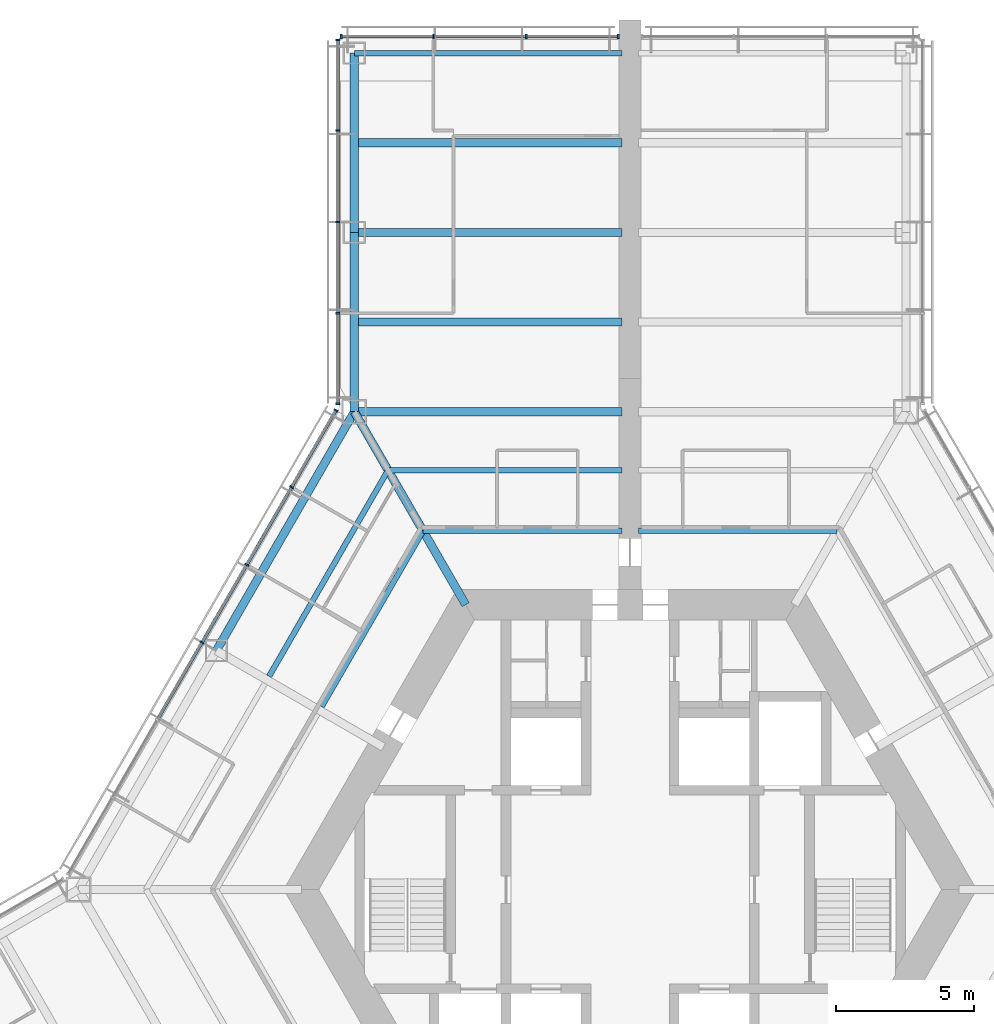
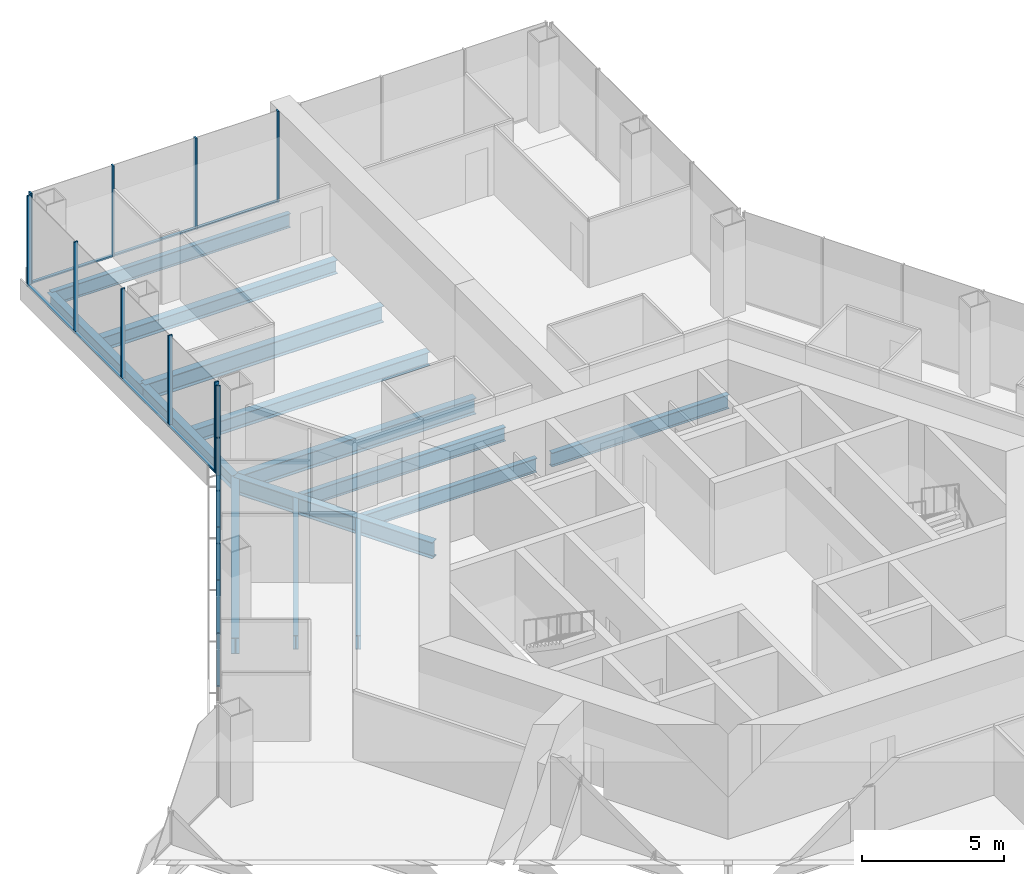
# One storey, part 7 of 18: 24 members, 14 beams, 3 elements without a shape of their own.
"""IFC4 building model written with IfcOpenShell, lengths in metres."""

import ifcopenshell
import ifcopenshell.guid

model = None  # the IFC model being written
_history = None  # IfcOwnerHistory: only IFC2X3 demands one
_inside = {}  # id of a spatial element -> (the spatial element, [elements in it])
_under = {}  # id of a project, library or spatial element -> (it, [spatial elements below it])
_declared = {}  # id of a project -> (the project, [libraries it declares])
_typed = {}  # id of a type object -> (the type object, [elements of that type])
_made_of = {}  # id of a material, layer set ... -> (it, [elements and type objects made of it])


def new_model(schema):
    """Start an empty IFC model of exactly this schema.

    Asked for "IFC4X3", IfcOpenShell would pick the latest addendum, in which some entities
    have other attributes; the version numbers below select the first issue.
    IFC2X3 requires an IfcOwnerHistory on every rooted entity: one is made here for all.
    """
    global model, _history
    if schema == "IFC4X3":
        model = ifcopenshell.file(schema_version=(4, 3, 0, 0))
    else:
        model = ifcopenshell.file(schema=schema)
    _inside.clear()
    _under.clear()
    _declared.clear()
    _typed.clear()
    _made_of.clear()
    _history = None
    if model.schema == "IFC2X3":
        org = make("IfcOrganization", Name="unknown")
        user = make(
            "IfcPersonAndOrganization",
            ThePerson=make("IfcPerson", FamilyName="unknown"),
            TheOrganization=org,
        )
        app = make(
            "IfcApplication",
            ApplicationDeveloper=org,
            Version="unknown",
            ApplicationFullName="unknown",
            ApplicationIdentifier="unknown",
        )
        _history = make(
            "IfcOwnerHistory",
            OwningUser=user,
            OwningApplication=app,
            ChangeAction="ADDED",
            CreationDate=0,
        )
    return model


def make(cls, **values):
    """One entity of the class cls with the attributes given. An attribute that is None is left unset."""
    return model.create_entity(
        cls, **{name: value for name, value in values.items() if value is not None}
    )


def rooted(cls, **values):
    """An entity with a GlobalId (a new one), such as an element, a storey or a relation."""
    return make(cls, GlobalId=ifcopenshell.guid.new(), OwnerHistory=_history, **values)


def si_unit(unit_type, name, prefix=None):
    """IfcSIUnit, for example si_unit("LENGTHUNIT", "METRE", prefix="MILLI")."""
    return make("IfcSIUnit", UnitType=unit_type, Prefix=prefix, Name=name)


def assignment(units):
    """IfcUnitAssignment: the units of a project."""
    return None if units is None else make("IfcUnitAssignment", Units=units)


def point(xyz):
    """IfcCartesianPoint."""
    return None if xyz is None else make("IfcCartesianPoint", Coordinates=xyz)


def direction(xyz):
    """IfcDirection."""
    return None if xyz is None else make("IfcDirection", DirectionRatios=xyz)


def frame(location, z_axis=None, x_axis=None):
    """IfcAxis2Placement3D, a coordinate frame: its origin and axes. An axis left out is left unset."""
    return make(
        "IfcAxis2Placement3D",
        Location=point(location),
        Axis=direction(z_axis),
        RefDirection=direction(x_axis),
    )


def frame_2d(location, x_axis=None):
    """IfcAxis2Placement2D, a coordinate frame in the plane: its origin and x axis."""
    return make(
        "IfcAxis2Placement2D", Location=point(location), RefDirection=direction(x_axis)
    )


def origin():
    """The frame at (0, 0, 0) with its axes left unset."""
    return frame((0.0, 0.0, 0.0))


def origin_2d():
    """The frame at (0, 0) in the plane with its x axis left unset."""
    return frame_2d((0.0, 0.0))


def place(relative_to, where):
    """IfcLocalPlacement: puts the frame where relative to a parent placement (None: the world)."""
    return make(
        "IfcLocalPlacement", PlacementRelTo=relative_to, RelativePlacement=where
    )


def context(
    kind, dimensions, precision=None, world=None, true_north=None, identifier=None
):
    """IfcGeometricRepresentationContext, for example the 3D "Model" context."""
    return make(
        "IfcGeometricRepresentationContext",
        ContextIdentifier=identifier,
        ContextType=kind,
        CoordinateSpaceDimension=dimensions,
        Precision=precision,
        WorldCoordinateSystem=world,
        TrueNorth=true_north,
    )


def subcontext(parent, identifier, kind, view, scale=None):
    """IfcGeometricRepresentationSubContext, for example "Body" below "Model"."""
    return make(
        "IfcGeometricRepresentationSubContext",
        ContextIdentifier=identifier,
        ContextType=kind,
        ParentContext=parent,
        TargetScale=scale,
        TargetView=view,
    )


def project(units=None, contexts=None):
    """IfcProject with its units and contexts."""
    return rooted(
        "IfcProject",
        Name="project",
        RepresentationContexts=contexts,
        UnitsInContext=assignment(units),
    )


def spatial(cls, under=None, at=None, **own):
    """A site, building, storey or space (cls), placed at a placement, below another one or the project."""
    s = rooted(cls, ObjectPlacement=at, **own)
    if under is not None:
        _under.setdefault(under.id(), (under, []))[1].append(s)
    return s


def profile(cls, at=None, kind="AREA", **sizes):
    """A parametric profile (cls). Its sizes go by their IFC names, for example OverallWidth=200.0."""
    return make(cls, ProfileType=kind, Position=at, **sizes)


def rectangle(**sizes):
    """IfcRectangleProfileDef."""
    return profile("IfcRectangleProfileDef", **sizes)


def i_section(**sizes):
    """IfcIShapeProfileDef."""
    return profile("IfcIShapeProfileDef", **sizes)


def extrude(swept, where, along, depth):
    """IfcExtrudedAreaSolid: the profile swept, set in the frame where, extruded along a direction by depth."""
    return make(
        "IfcExtrudedAreaSolid",
        SweptArea=swept,
        Position=where,
        ExtrudedDirection=direction(along),
        Depth=depth,
    )


def shape(context_of_items, identifier, shape_type, items):
    """IfcShapeRepresentation: the items that make up one representation, for example the "Body"."""
    return make(
        "IfcShapeRepresentation",
        ContextOfItems=context_of_items,
        RepresentationIdentifier=identifier,
        RepresentationType=shape_type,
        Items=items,
    )


def material(Name=None, Category=None):
    """IfcMaterial."""
    return make("IfcMaterial", Name=Name, Category=Category)


def material_profile(
    of_material, cross_section, Name=None, Category=None, Priority=None
):
    """IfcMaterialProfile: a cross section and its material."""
    return make(
        "IfcMaterialProfile",
        Name=Name,
        Material=of_material,
        Profile=cross_section,
        Priority=Priority,
        Category=Category,
    )


def profile_set(profiles, Name=None, composite=None):
    """IfcMaterialProfileSet."""
    return make(
        "IfcMaterialProfileSet",
        Name=Name,
        MaterialProfiles=profiles,
        CompositeProfile=composite,
    )


def made_of(thing, what):
    """Note that an element or type object is made of a material, layer set ...; save() writes the relation."""
    if what is not None:
        _made_of.setdefault(what.id(), (what, []))[1].append(thing)
    return thing


def type_object(cls, material=None, **own):
    """A type object (cls), such as IfcWallType, which elements share."""
    return made_of(rooted(cls, **own), material)


def element(
    cls,
    number,
    at=None,
    inside=None,
    cuts=None,
    type_object=None,
    material=None,
    context=None,
    identifier="Body",
    shape_type=None,
    held_by="IfcProductDefinitionShape",
    body=None,
    shapes=None,
    **own,
):
    """One element of the class cls, such as IfcWall. Its Tag is "e" and its number.

    at: its placement. inside: the storey or other place that contains it. cuts: it is an
    opening in that element (IfcRelVoidsElement). A single representation is given by context,
    identifier, shape_type and body (its items); several are given by shapes. held_by: the class
    of the entity that holds the representations. save() writes the other relations.
    """
    e = rooted(cls, Tag="e%d" % number, ObjectPlacement=at, **own)
    if body is not None:
        shapes = [shape(context, identifier, shape_type, body)]
    if shapes is not None:
        e.Representation = make(held_by, Representations=shapes)
    if inside is not None:
        _inside.setdefault(inside.id(), (inside, []))[1].append(e)
    if cuts is not None:
        rooted(
            "IfcRelVoidsElement", RelatingBuildingElement=cuts, RelatedOpeningElement=e
        )
    if type_object is not None:
        _typed.setdefault(type_object.id(), (type_object, []))[1].append(e)
    return made_of(e, material)


def aggregate(whole, parts):
    """IfcRelAggregates: a whole, such as a stair, and the parts it consists of."""
    return rooted("IfcRelAggregates", RelatingObject=whole, RelatedObjects=parts)


def save(model, path):
    """Write the relations noted so far, then the file.

    IfcRelAggregates (storeys below a building ...), IfcRelContainedInSpatialStructure (elements
    in a storey), IfcRelDefinesByType, IfcRelAssociatesMaterial and IfcRelDeclares: one each for
    every whole, place, type object, material and project.
    """
    for whole, parts in _under.values():
        aggregate(whole, parts)
    for where, things in _inside.values():
        rooted(
            "IfcRelContainedInSpatialStructure",
            RelatedElements=things,
            RelatingStructure=where,
        )
    for kind, things in _typed.values():
        rooted("IfcRelDefinesByType", RelatedObjects=things, RelatingType=kind)
    for what, things in _made_of.values():
        rooted("IfcRelAssociatesMaterial", RelatedObjects=things, RelatingMaterial=what)
    for by, libraries in _declared.values():
        rooted("IfcRelDeclares", RelatingContext=by, RelatedDefinitions=libraries)
    model.write(path)


model = new_model("IFC4")

# Units and contexts
model_context = context("Model", 3, precision=1e-05, world=origin(), true_north=direction((0.0, 1.0)))
body_context = subcontext(model_context, "Body", "Model", "MODEL_VIEW")
ifc_project = project(units=[si_unit("LENGTHUNIT", "METRE"), si_unit("AREAUNIT", "SQUARE_METRE"), si_unit("VOLUMEUNIT", "CUBIC_METRE"), si_unit("PLANEANGLEUNIT", "RADIAN"), si_unit("MASSUNIT", "GRAM", prefix="KILO")], contexts=[model_context])

# Site, building, storey
site_placement = place(None, origin())
site = spatial("IfcSite", under=ifc_project, at=site_placement, CompositionType="ELEMENT")
building_placement = place(site_placement, origin())
building = spatial("IfcBuilding", under=site, at=building_placement, Name="Kasaneha Research Tower", CompositionType="ELEMENT")
storey_placement = place(building_placement, frame((0.0, 0.0, 65.10009765625)))
storey = spatial("IfcBuildingStorey", under=building, at=storey_placement, Name="L16", CompositionType="ELEMENT", Elevation=65.10009765625)

# Beams
ifc_material_1 = material(Name="Steel SN490B", Category="steel")
ifc_material_profile_1 = material_profile(ifc_material_1, i_section(OverallWidth=0.199951171875, OverallDepth=0.60009765625, WebThickness=0.010986328125, FlangeThickness=0.01708984375, FilletRadius=0.012939453125, at=origin_2d()), Name="H-600x200x11x17")
ifc_profile_set_1 = profile_set([ifc_material_profile_1], Name="Steel SN490B")
beam_type_1 = type_object("IfcBeamType", Name="B1-3 secondary beam H-600x200x11x17", PredefinedType="JOIST", material=ifc_profile_set_1)
for number, where, z_axis, x_axis, name in (
    (1, (7.505615234375, 13.0, -0.4501953125), (-1.0, 0.0, 0.0), (0.0, -1.0, 0.0), "Secondary beam RS090L1 L16"),
    (2, (-7.505615234375, 13.0, -0.4501953125), (1.0, 0.0, 0.0), (0.0, 1.0, 0.0), "Secondary beam RS090R1 L16"),
):
    element("IfcBeam", number, at=place(storey_placement, frame(where, z_axis=z_axis, x_axis=x_axis)), inside=storey, type_object=beam_type_1, Name=name, PredefinedType="JOIST", context=body_context, shape_type="SweptSolid", body=[
        extrude(i_section(OverallWidth=0.199951171875, OverallDepth=0.60009765625, WebThickness=0.010986328125, FlangeThickness=0.01708984375, FilletRadius=0.012939453125, at=origin_2d()), origin(), (0.0, 0.0, 1.0), 7.20556640625),
    ])
beam_1_placement = place(storey_placement, frame((-8.775634765625, 15.199951171875, -0.4501953125), z_axis=(1.0, 0.0, 0.0), x_axis=(0.0, 1.0, 0.0)))
element("IfcBeam", 3, at=beam_1_placement, inside=storey, type_object=beam_type_1, Name="Secondary beam RS090R2 L16", PredefinedType="JOIST", context=body_context, shape_type="SweptSolid", body=[
    extrude(i_section(OverallWidth=0.199951171875, OverallDepth=0.60009765625, WebThickness=0.010986328125, FlangeThickness=0.01708984375, FilletRadius=0.012939453125, at=origin_2d()), origin(), (0.0, 0.0, 1.0), 8.4755859375),
])
beam_2_placement = place(storey_placement, frame((-7.505615234375, 13.0, -0.4501953125), z_axis=(-0.499994443168, -0.866028611999, 0.0), x_axis=(0.866028611999, -0.499994443168, 0.0)))
element("IfcBeam", 4, at=beam_2_placement, inside=storey, type_object=beam_type_1, Name="Secondary beam RS150L1 L16", PredefinedType="JOIST", context=body_context, shape_type="SweptSolid", body=[
    extrude(i_section(OverallWidth=0.199951171875, OverallDepth=0.60009765625, WebThickness=0.010986328125, FlangeThickness=0.01708984375, FilletRadius=0.012939453125, at=origin_2d()), origin(), (0.0, 0.0, 1.0), 7.35546875),
])
beam_3_placement = place(storey_placement, frame((-8.775634765625, 15.199951171875, -0.4501953125), z_axis=(-0.500017275495, -0.866015429543, 0.0), x_axis=(0.866015429543, -0.500017275495, 0.0)))
element("IfcBeam", 5, at=beam_3_placement, inside=storey, type_object=beam_type_1, Name="Secondary beam RS150L2 L16", PredefinedType="JOIST", context=body_context, shape_type="SweptSolid", body=[
    extrude(i_section(OverallWidth=0.199951171875, OverallDepth=0.60009765625, WebThickness=0.010986328125, FlangeThickness=0.01708984375, FilletRadius=0.012939453125, at=origin_2d()), origin(), (0.0, 0.0, 1.0), 8.625732421875),
])
ifc_material_2 = material(Name="Steel SN490B", Category="steel")
ifc_material_profile_2 = material_profile(ifc_material_2, i_section(OverallWidth=0.300048828125, OverallDepth=0.58203125, WebThickness=0.011962890625, FlangeThickness=0.01708984375, FilletRadius=0.012939453125, at=origin_2d()), Name="H-582x300x12x17")
ifc_profile_set_2 = profile_set([ifc_material_profile_2], Name="Steel SN490B")
beam_type_2 = type_object("IfcBeamType", Name="B2-3 secondary beam H-582x300x12x17", PredefinedType="JOIST", material=ifc_profile_set_2)
for number, where, z_axis, x_axis, name in (
    (6, (-10.0, 20.570556640625, -0.441162109375), (1.0, 0.0, 0.0), (0.0, 1.0, 0.0), "Secondary beam WBAN1 L16"),
    (7, (-10.0, 27.070556640625, -0.441162109375), (1.0, 0.0, 0.0), (0.0, 1.0, 0.0), "Secondary beam WBAN2 L16"),
):
    element("IfcBeam", number, at=place(storey_placement, frame(where, z_axis=z_axis, x_axis=x_axis)), inside=storey, type_object=beam_type_2, Name=name, PredefinedType="JOIST", context=body_context, shape_type="SweptSolid", body=[
        extrude(i_section(OverallWidth=0.300048828125, OverallDepth=0.58203125, WebThickness=0.011962890625, FlangeThickness=0.01708984375, FilletRadius=0.012939453125, at=origin_2d()), origin(), (0.0, 0.0, 1.0), 9.699951171875),
    ])

# Curtain wall, members
ifc_material_3 = material(Name="Glass and aluminium", Category="aluminium")
curtain_wall_type = type_object("IfcCurtainWallType", Name="Low-rise office curtain wall", PredefinedType="USERDEFINED", material=ifc_material_3)
curtain_wall_1_placement = place(storey_placement, origin())
curtain_wall_1 = element("IfcCurtainWall", 8, at=curtain_wall_1_placement, inside=storey, type_object=curtain_wall_type, Name="CW-O1 L16 run 10a", ObjectType="UNITISED CURTAIN WALL", PredefinedType="USERDEFINED")
ifc_material_4 = material(Name="Aluminium 6063-T6", Category="aluminium")
ifc_material_profile_3 = material_profile(ifc_material_4, rectangle(XDim=0.06005859375, YDim=0.159912109375, at=origin_2d()), Name="CW-O1 mullion 60x160")
ifc_profile_set_3 = profile_set([ifc_material_profile_3], Name="Aluminium 6063-T6")
member_type_1 = type_object("IfcMemberType", Name="CW-O1 mullion", PredefinedType="MULLION", material=ifc_profile_set_3)
member_1_placement = place(storey_placement, frame((-0.429931640625, 30.92041015625, 0.0), z_axis=(0.0, 0.0, 1.0), x_axis=(-1.0, 0.0, 0.0)))
member_1 = element("IfcMember", 9, at=member_1_placement, type_object=member_type_1, Name="CW-O1 mullion 1", PredefinedType="MULLION", context=body_context, shape_type="SweptSolid", body=[
    extrude(rectangle(XDim=0.06005859375, YDim=0.159912109375, at=origin_2d()), origin(), (0.0, 0.0, 1.0), 3.89990234375),
])
member_2_placement = place(storey_placement, frame((-3.7666015625, 30.92041015625, 0.0), z_axis=(0.0, 0.0, 1.0), x_axis=(-1.0, 0.0, 0.0)))
member_2 = element("IfcMember", 10, at=member_2_placement, type_object=member_type_1, Name="CW-O1 mullion 2", PredefinedType="MULLION", context=body_context, shape_type="SweptSolid", body=[
    extrude(rectangle(XDim=0.06005859375, YDim=0.159912109375, at=origin_2d()), origin(), (0.0, 0.0, 1.0), 3.89990234375),
])
member_3_placement = place(storey_placement, frame((-7.13330078125, 30.92041015625, 0.0), z_axis=(0.0, 0.0, 1.0), x_axis=(-1.0, 0.0, 0.0)))
member_3 = element("IfcMember", 11, at=member_3_placement, type_object=member_type_1, Name="CW-O1 mullion 3", PredefinedType="MULLION", context=body_context, shape_type="SweptSolid", body=[
    extrude(rectangle(XDim=0.06005859375, YDim=0.159912109375, at=origin_2d()), origin(), (0.0, 0.0, 1.0), 3.89990234375),
])
member_4_placement = place(storey_placement, frame((-10.469970703125, 30.92041015625, 0.0), z_axis=(0.0, 0.0, 1.0), x_axis=(-1.0, 0.0, 0.0)))
member_4 = element("IfcMember", 12, at=member_4_placement, type_object=member_type_1, Name="CW-O1 mullion 4", PredefinedType="MULLION", context=body_context, shape_type="SweptSolid", body=[
    extrude(rectangle(XDim=0.06005859375, YDim=0.159912109375, at=origin_2d()), origin(), (0.0, 0.0, 1.0), 3.89990234375),
])

curtain_wall_2_placement = place(storey_placement, origin())
curtain_wall_2 = element("IfcCurtainWall", 13, at=curtain_wall_2_placement, inside=storey, type_object=curtain_wall_type, Name="CW-O1 L16 run 11a", ObjectType="UNITISED CURTAIN WALL", PredefinedType="USERDEFINED")
member_5_placement = place(storey_placement, frame((-10.60009765625, 30.79052734375, 0.0), z_axis=(0.0, 0.0, 1.0), x_axis=(0.0, -1.0, 0.0)))
member_5 = element("IfcMember", 14, at=member_5_placement, type_object=member_type_1, Name="CW-O1 mullion 1", PredefinedType="MULLION", context=body_context, shape_type="SweptSolid", body=[
    extrude(rectangle(XDim=0.06005859375, YDim=0.159912109375, at=origin_2d()), origin(), (0.0, 0.0, 1.0), 3.89990234375),
])
member_6_placement = place(storey_placement, frame((-10.60009765625, 27.5107421875, 0.0), z_axis=(0.0, 0.0, 1.0), x_axis=(0.0, -1.0, 0.0)))
member_6 = element("IfcMember", 15, at=member_6_placement, type_object=member_type_1, Name="CW-O1 mullion 2", PredefinedType="MULLION", context=body_context, shape_type="SweptSolid", body=[
    extrude(rectangle(XDim=0.06005859375, YDim=0.159912109375, at=origin_2d()), origin(), (0.0, 0.0, 1.0), 3.89990234375),
])
member_7_placement = place(storey_placement, frame((-10.60009765625, 24.200927734375, 0.0), z_axis=(0.0, 0.0, 1.0), x_axis=(0.0, -1.0, 0.0)))
member_7 = element("IfcMember", 16, at=member_7_placement, type_object=member_type_1, Name="CW-O1 mullion 3", PredefinedType="MULLION", context=body_context, shape_type="SweptSolid", body=[
    extrude(rectangle(XDim=0.06005859375, YDim=0.159912109375, at=origin_2d()), origin(), (0.0, 0.0, 1.0), 3.89990234375),
])
member_8_placement = place(storey_placement, frame((-10.60009765625, 20.89111328125, 0.0), z_axis=(0.0, 0.0, 1.0), x_axis=(0.0, -1.0, 0.0)))
member_8 = element("IfcMember", 17, at=member_8_placement, type_object=member_type_1, Name="CW-O1 mullion 4", PredefinedType="MULLION", context=body_context, shape_type="SweptSolid", body=[
    extrude(rectangle(XDim=0.06005859375, YDim=0.159912109375, at=origin_2d()), origin(), (0.0, 0.0, 1.0), 3.89990234375),
])
member_9_placement = place(storey_placement, frame((-10.60009765625, 17.611328125, 0.0), z_axis=(0.0, 0.0, 1.0), x_axis=(0.0, -1.0, 0.0)))
member_9 = element("IfcMember", 18, at=member_9_placement, type_object=member_type_1, Name="CW-O1 mullion 5", PredefinedType="MULLION", context=body_context, shape_type="SweptSolid", body=[
    extrude(rectangle(XDim=0.06005859375, YDim=0.159912109375, at=origin_2d()), origin(), (0.0, 0.0, 1.0), 3.89990234375),
])

curtain_wall_3_placement = place(storey_placement, origin())
curtain_wall_3 = element("IfcCurtainWall", 19, at=curtain_wall_3_placement, inside=storey, type_object=curtain_wall_type, Name="CW-O1 L16 run 12a", ObjectType="UNITISED CURTAIN WALL", PredefinedType="USERDEFINED")
member_10_placement = place(storey_placement, frame((-10.6650390625, 17.36865234375, 0.0), z_axis=(0.0, 0.0, 1.0), x_axis=(-0.49999996188, -0.866025425793, 0.0)))
member_10 = element("IfcMember", 20, at=member_10_placement, type_object=member_type_1, Name="CW-O1 mullion 1", PredefinedType="MULLION", context=body_context, shape_type="SweptSolid", body=[
    extrude(rectangle(XDim=0.06005859375, YDim=0.159912109375, at=origin_2d()), origin(), (0.0, 0.0, 1.0), 3.89990234375),
])
member_11_placement = place(storey_placement, frame((-12.273193359375, 14.583251953125, 0.0), z_axis=(0.0, 0.0, 1.0), x_axis=(-0.49999996188, -0.866025425793, 0.0)))
member_11 = element("IfcMember", 21, at=member_11_placement, type_object=member_type_1, Name="CW-O1 mullion 2", PredefinedType="MULLION", context=body_context, shape_type="SweptSolid", body=[
    extrude(rectangle(XDim=0.06005859375, YDim=0.159912109375, at=origin_2d()), origin(), (0.0, 0.0, 1.0), 3.89990234375),
])
member_12_placement = place(storey_placement, frame((-13.896484375, 11.771728515625, 0.0), z_axis=(0.0, 0.0, 1.0), x_axis=(-0.49999996188, -0.866025425793, 0.0)))
member_12 = element("IfcMember", 22, at=member_12_placement, type_object=member_type_1, Name="CW-O1 mullion 3", PredefinedType="MULLION", context=body_context, shape_type="SweptSolid", body=[
    extrude(rectangle(XDim=0.06005859375, YDim=0.159912109375, at=origin_2d()), origin(), (0.0, 0.0, 1.0), 3.89990234375),
])
member_13_placement = place(storey_placement, frame((-15.51953125, 8.960205078125, 0.0), z_axis=(0.0, 0.0, 1.0), x_axis=(-0.49999996188, -0.866025425793, 0.0)))
member_13 = element("IfcMember", 23, at=member_13_placement, type_object=member_type_1, Name="CW-O1 mullion 4", PredefinedType="MULLION", context=body_context, shape_type="SweptSolid", body=[
    extrude(rectangle(XDim=0.06005859375, YDim=0.159912109375, at=origin_2d()), origin(), (0.0, 0.0, 1.0), 3.89990234375),
])

# Member
ifc_material_5 = material(Name="Aluminium 6063-T6", Category="aluminium")
ifc_material_profile_4 = material_profile(ifc_material_5, rectangle(XDim=0.1201171875, YDim=0.06005859375, at=origin_2d()), Name="CW-O1 transom 120x60")
ifc_profile_set_4 = profile_set([ifc_material_profile_4], Name="Aluminium 6063-T6")
member_type_2 = type_object("IfcMemberType", Name="CW-O1 transom", PredefinedType="USERDEFINED", material=ifc_profile_set_4)
member_14_placement = place(storey_placement, frame((-0.4599609375, 30.92041015625, 0.02978515625), z_axis=(-1.0, 0.0, 0.0), x_axis=(0.0, -1.0, 0.0)))
member_14 = element("IfcMember", 24, at=member_14_placement, type_object=member_type_2, Name="CW-O1 transom 1", ObjectType="TRANSOM", PredefinedType="USERDEFINED", context=body_context, shape_type="SweptSolid", body=[
    extrude(rectangle(XDim=0.1201171875, YDim=0.06005859375, at=origin_2d()), origin(), (0.0, 0.0, 1.0), 3.276611328125),
])

member_15_placement = place(storey_placement, frame((-3.796630859375, 30.92041015625, 0.02978515625), z_axis=(-1.0, 0.0, 0.0), x_axis=(0.0, -1.0, 0.0)))
member_15 = element("IfcMember", 25, at=member_15_placement, type_object=member_type_2, Name="CW-O1 transom 2", ObjectType="TRANSOM", PredefinedType="USERDEFINED", context=body_context, shape_type="SweptSolid", body=[
    extrude(rectangle(XDim=0.1201171875, YDim=0.06005859375, at=origin_2d()), origin(), (0.0, 0.0, 1.0), 3.306640625),
])

member_16_placement = place(storey_placement, frame((-7.163330078125, 30.92041015625, 0.02978515625), z_axis=(-1.0, 0.0, 0.0), x_axis=(0.0, -1.0, 0.0)))
member_16 = element("IfcMember", 26, at=member_16_placement, type_object=member_type_2, Name="CW-O1 transom 3", ObjectType="TRANSOM", PredefinedType="USERDEFINED", context=body_context, shape_type="SweptSolid", body=[
    extrude(rectangle(XDim=0.1201171875, YDim=0.06005859375, at=origin_2d()), origin(), (0.0, 0.0, 1.0), 3.276611328125),
])

aggregate(curtain_wall_1, [member_1, member_2, member_3, member_4, member_14, member_15, member_16])

member_17_placement = place(storey_placement, frame((-10.60009765625, 30.760498046875, 0.02978515625), z_axis=(0.0, -1.0, 0.0), x_axis=(1.0, 0.0, 0.0)))
member_17 = element("IfcMember", 27, at=member_17_placement, type_object=member_type_2, Name="CW-O1 transom 1", ObjectType="TRANSOM", PredefinedType="USERDEFINED", context=body_context, shape_type="SweptSolid", body=[
    extrude(rectangle(XDim=0.1201171875, YDim=0.06005859375, at=origin_2d()), origin(), (0.0, 0.0, 1.0), 3.2197265625),
])

member_18_placement = place(storey_placement, frame((-10.60009765625, 27.480712890625, 0.02978515625), z_axis=(0.0, -1.0, 0.0), x_axis=(1.0, 0.0, 0.0)))
member_18 = element("IfcMember", 28, at=member_18_placement, type_object=member_type_2, Name="CW-O1 transom 2", ObjectType="TRANSOM", PredefinedType="USERDEFINED", context=body_context, shape_type="SweptSolid", body=[
    extrude(rectangle(XDim=0.1201171875, YDim=0.06005859375, at=origin_2d()), origin(), (0.0, 0.0, 1.0), 3.249755859375),
])

member_19_placement = place(storey_placement, frame((-10.60009765625, 24.1708984375, 0.02978515625), z_axis=(0.0, -1.0, 0.0), x_axis=(1.0, 0.0, 0.0)))
member_19 = element("IfcMember", 29, at=member_19_placement, type_object=member_type_2, Name="CW-O1 transom 3", ObjectType="TRANSOM", PredefinedType="USERDEFINED", context=body_context, shape_type="SweptSolid", body=[
    extrude(rectangle(XDim=0.1201171875, YDim=0.06005859375, at=origin_2d()), origin(), (0.0, 0.0, 1.0), 3.249755859375),
])

member_20_placement = place(storey_placement, frame((-10.60009765625, 20.861083984375, 0.02978515625), z_axis=(0.0, -1.0, 0.0), x_axis=(1.0, 0.0, 0.0)))
member_20 = element("IfcMember", 30, at=member_20_placement, type_object=member_type_2, Name="CW-O1 transom 4", ObjectType="TRANSOM", PredefinedType="USERDEFINED", context=body_context, shape_type="SweptSolid", body=[
    extrude(rectangle(XDim=0.1201171875, YDim=0.06005859375, at=origin_2d()), origin(), (0.0, 0.0, 1.0), 3.2197265625),
])

aggregate(curtain_wall_2, [member_5, member_6, member_7, member_8, member_9, member_17, member_18, member_19, member_20])

member_21_placement = place(storey_placement, frame((-10.679931640625, 17.3427734375, 0.02978515625), z_axis=(-0.500023726918, -0.866011704609, 0.0), x_axis=(0.866011704609, -0.500023726918, 0.0)))
member_21 = element("IfcMember", 31, at=member_21_placement, type_object=member_type_2, Name="CW-O1 transom 1", ObjectType="TRANSOM", PredefinedType="USERDEFINED", context=body_context, shape_type="SweptSolid", body=[
    extrude(rectangle(XDim=0.1201171875, YDim=0.06005859375, at=origin_2d()), origin(), (0.0, 0.0, 1.0), 3.156494140625),
])

member_22_placement = place(storey_placement, frame((-12.2880859375, 14.55712890625, 0.02978515625), z_axis=(-0.500012062035, -0.866018439653, 0.0), x_axis=(0.866018439653, -0.500012062035, 0.0)))
member_22 = element("IfcMember", 32, at=member_22_placement, type_object=member_type_2, Name="CW-O1 transom 2", ObjectType="TRANSOM", PredefinedType="USERDEFINED", context=body_context, shape_type="SweptSolid", body=[
    extrude(rectangle(XDim=0.1201171875, YDim=0.06005859375, at=origin_2d()), origin(), (0.0, 0.0, 1.0), 3.1865234375),
])

member_23_placement = place(storey_placement, frame((-13.911376953125, 11.745849609375, 0.02978515625), z_axis=(-0.500012062035, -0.866018439653, 0.0), x_axis=(0.866018439653, -0.500012062035, 0.0)))
member_23 = element("IfcMember", 33, at=member_23_placement, type_object=member_type_2, Name="CW-O1 transom 3", ObjectType="TRANSOM", PredefinedType="USERDEFINED", context=body_context, shape_type="SweptSolid", body=[
    extrude(rectangle(XDim=0.1201171875, YDim=0.06005859375, at=origin_2d()), origin(), (0.0, 0.0, 1.0), 3.1865234375),
])

member_24_placement = place(storey_placement, frame((-15.53466796875, 8.934326171875, 0.02978515625), z_axis=(-0.500012062035, -0.866018439653, 0.0), x_axis=(0.866018439653, -0.500012062035, 0.0)))
member_24 = element("IfcMember", 34, at=member_24_placement, type_object=member_type_2, Name="CW-O1 transom 4", ObjectType="TRANSOM", PredefinedType="USERDEFINED", context=body_context, shape_type="SweptSolid", body=[
    extrude(rectangle(XDim=0.1201171875, YDim=0.06005859375, at=origin_2d()), origin(), (0.0, 0.0, 1.0), 3.1865234375),
])

aggregate(curtain_wall_3, [member_10, member_11, member_12, member_13, member_21, member_22, member_23, member_24])

# Beams
ifc_material_6 = material(Name="Steel SN490B", Category="steel")
ifc_material_profile_5 = material_profile(ifc_material_6, i_section(OverallWidth=0.300048828125, OverallDepth=0.699951171875, WebThickness=0.012939453125, FlangeThickness=0.02392578125, FilletRadius=0.01806640625, at=origin_2d()), Name="H-700x300x13x24")
ifc_profile_set_5 = profile_set([ifc_material_profile_5], Name="Steel SN490B")
beam_type_3 = type_object("IfcBeamType", Name="G1-3 radial girder H-700x300x13x24", PredefinedType="BEAM", material=ifc_profile_set_5)
beam_4_placement = place(storey_placement, frame((-5.961181640625, 10.324951171875, -0.5), z_axis=(-0.49999105496, 0.866030568144, 0.0), x_axis=(-0.866030568144, -0.49999105496, 0.0)))
element("IfcBeam", 35, at=beam_4_placement, inside=storey, type_object=beam_type_3, Name="Radial girder RV120 L16", PredefinedType="BEAM", context=body_context, shape_type="SweptSolid", body=[
    extrude(i_section(OverallWidth=0.300048828125, OverallDepth=0.699951171875, WebThickness=0.012939453125, FlangeThickness=0.02392578125, FilletRadius=0.01806640625, at=origin_2d()), origin(), (0.0, 0.0, 1.0), 8.077880859375),
])
ifc_material_7 = material(Name="Steel SN490B", Category="steel")
ifc_material_profile_6 = material_profile(ifc_material_7, i_section(OverallWidth=0.300048828125, OverallDepth=0.69189453125, WebThickness=0.012939453125, FlangeThickness=0.02001953125, FilletRadius=0.01806640625, at=origin_2d()), Name="H-692x300x13x20")
ifc_profile_set_6 = profile_set([ifc_material_profile_6], Name="Steel SN490B")
beam_type_4 = type_object("IfcBeamType", Name="G3-3 plate edge girder H-692x300x13x20", PredefinedType="BEAM", material=ifc_profile_set_6)
beam_5_placement = place(storey_placement, frame((-10.0, 17.320556640625, -0.49609375), z_axis=(1.0, 0.0, 0.0), x_axis=(0.0, 1.0, 0.0)))
element("IfcBeam", 36, at=beam_5_placement, inside=storey, type_object=beam_type_4, Name="Plate edge girder PEAN L16", PredefinedType="BEAM", context=body_context, shape_type="SweptSolid", body=[
    extrude(i_section(OverallWidth=0.300048828125, OverallDepth=0.69189453125, WebThickness=0.012939453125, FlangeThickness=0.02001953125, FilletRadius=0.01806640625, at=origin_2d()), origin(), (0.0, 0.0, 1.0), 9.699951171875),
])
ifc_material_8 = material(Name="Steel SN490B", Category="steel")
ifc_material_profile_7 = material_profile(ifc_material_8, i_section(OverallWidth=0.300048828125, OverallDepth=0.699951171875, WebThickness=0.012939453125, FlangeThickness=0.02392578125, FilletRadius=0.01806640625, at=origin_2d()), Name="H-700x300x13x24")
ifc_profile_set_7 = profile_set([ifc_material_profile_7], Name="Steel SN490B")
beam_type_5 = type_object("IfcBeamType", Name="G4-3 wing girder H-700x300x13x24", PredefinedType="BEAM", material=ifc_profile_set_7)
beam_6_placement = place(storey_placement, frame((-10.0, 23.820556640625, -0.5), z_axis=(1.0, 0.0, 0.0), x_axis=(0.0, 1.0, 0.0)))
element("IfcBeam", 37, at=beam_6_placement, inside=storey, type_object=beam_type_5, Name="Wing girder WGAN L16", PredefinedType="BEAM", context=body_context, shape_type="SweptSolid", body=[
    extrude(i_section(OverallWidth=0.300048828125, OverallDepth=0.699951171875, WebThickness=0.012939453125, FlangeThickness=0.02392578125, FilletRadius=0.01806640625, at=origin_2d()), origin(), (0.0, 0.0, 1.0), 9.699951171875),
])
ifc_material_9 = material(Name="Steel SN490B", Category="steel")
ifc_material_profile_8 = material_profile(ifc_material_9, i_section(OverallWidth=0.300048828125, OverallDepth=0.69189453125, WebThickness=0.012939453125, FlangeThickness=0.02001953125, FilletRadius=0.01806640625, at=origin_2d()), Name="H-692x300x13x20")
ifc_profile_set_8 = profile_set([ifc_material_profile_8], Name="Steel SN490B")
beam_type_6 = type_object("IfcBeamType", Name="SB1-3 spandrel beam H-692x300x13x20", PredefinedType="SPANDREL", material=ifc_profile_set_8)
beam_7_placement = place(storey_placement, frame((-10.0, 17.320556640625, -0.49609375), z_axis=(-0.499993662806, -0.866029062534, 0.0), x_axis=(0.866029062534, -0.499993662806, 0.0)))
element("IfcBeam", 38, at=beam_7_placement, inside=storey, type_object=beam_type_6, Name="Spandrel beam SR150L L16", PredefinedType="SPANDREL", context=body_context, shape_type="SweptSolid", body=[
    extrude(i_section(OverallWidth=0.300048828125, OverallDepth=0.69189453125, WebThickness=0.012939453125, FlangeThickness=0.02001953125, FilletRadius=0.01806640625, at=origin_2d()), origin(), (0.0, 0.0, 1.0), 10.000244140625),
])
ifc_material_10 = material(Name="Steel SN490B", Category="steel")
ifc_material_profile_9 = material_profile(ifc_material_10, i_section(OverallWidth=0.300048828125, OverallDepth=0.58203125, WebThickness=0.011962890625, FlangeThickness=0.01708984375, FilletRadius=0.012939453125, at=origin_2d()), Name="H-582x300x12x17")
ifc_profile_set_9 = profile_set([ifc_material_profile_9], Name="Steel SN490B")
beam_type_7 = type_object("IfcBeamType", Name="SB2-3 spandrel beam H-582x300x12x17", PredefinedType="SPANDREL", material=ifc_profile_set_9)
for number, where, z_axis, x_axis, name in (
    (39, (-10.0, 17.320556640625, -0.441162109375), (0.0, 1.0, 0.0), (-1.0, 0.0, 0.0), "Spandrel beam WSAN1 L16"),
    (40, (-10.0, 23.820556640625, -0.441162109375), (0.0, 1.0, 0.0), (-1.0, 0.0, 0.0), "Spandrel beam WSAN2 L16"),
):
    element("IfcBeam", number, at=place(storey_placement, frame(where, z_axis=z_axis, x_axis=x_axis)), inside=storey, type_object=beam_type_7, Name=name, PredefinedType="SPANDREL", context=body_context, shape_type="SweptSolid", body=[
        extrude(i_section(OverallWidth=0.300048828125, OverallDepth=0.58203125, WebThickness=0.011962890625, FlangeThickness=0.01708984375, FilletRadius=0.012939453125, at=origin_2d()), origin(), (0.0, 0.0, 1.0), 6.5),
    ])
ifc_material_11 = material(Name="Steel SN490B", Category="steel")
ifc_material_profile_10 = material_profile(ifc_material_11, i_section(OverallWidth=0.199951171875, OverallDepth=0.60009765625, WebThickness=0.010986328125, FlangeThickness=0.01708984375, FilletRadius=0.012939453125, at=origin_2d()), Name="H-600x200x11x17")
ifc_profile_set_10 = profile_set([ifc_material_profile_10], Name="Steel SN490B")
beam_type_8 = type_object("IfcBeamType", Name="SB3-3 spandrel beam H-600x200x11x17", PredefinedType="SPANDREL", material=ifc_profile_set_10)
beam_8_placement = place(storey_placement, frame((-10.0, 30.320556640625, -0.4501953125), z_axis=(1.0, 0.0, 0.0), x_axis=(0.0, 1.0, 0.0)))
element("IfcBeam", 41, at=beam_8_placement, inside=storey, type_object=beam_type_8, Name="Spandrel beam WTAN L16", PredefinedType="SPANDREL", context=body_context, shape_type="SweptSolid", body=[
    extrude(i_section(OverallWidth=0.199951171875, OverallDepth=0.60009765625, WebThickness=0.010986328125, FlangeThickness=0.01708984375, FilletRadius=0.012939453125, at=origin_2d()), origin(), (0.0, 0.0, 1.0), 9.699951171875),
])

save(model, "model.ifc")
